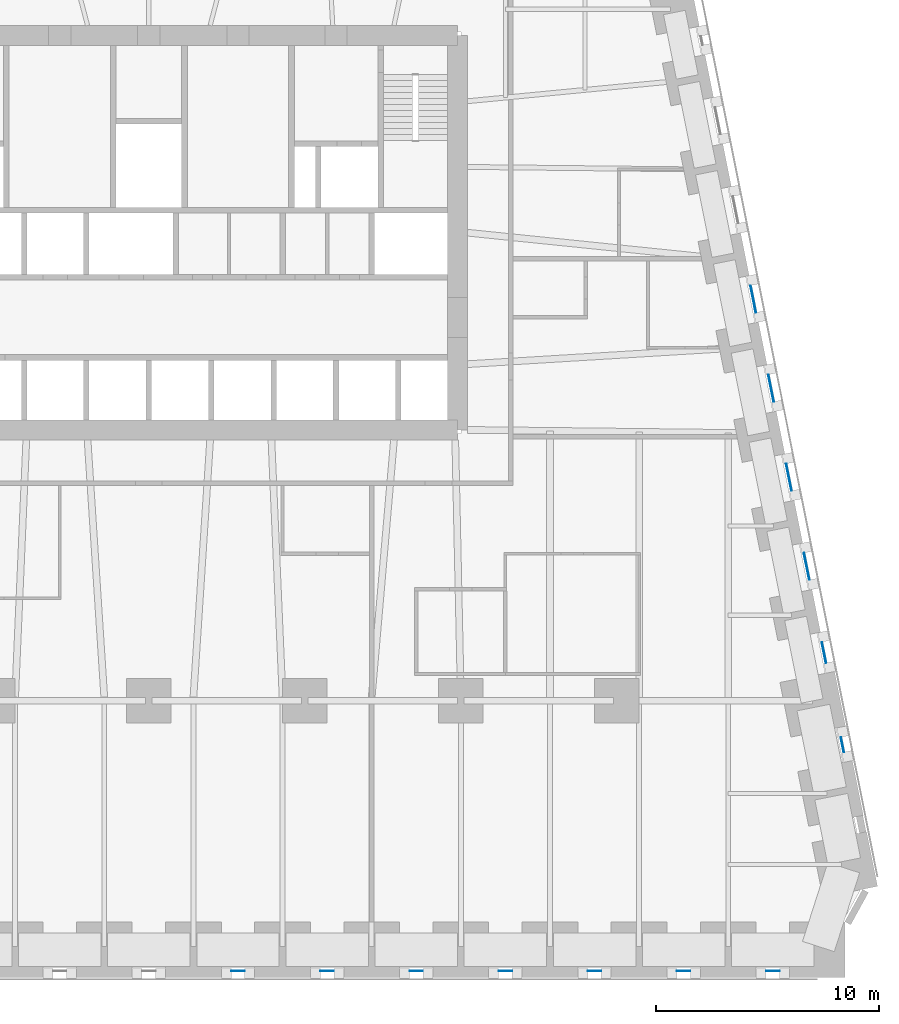
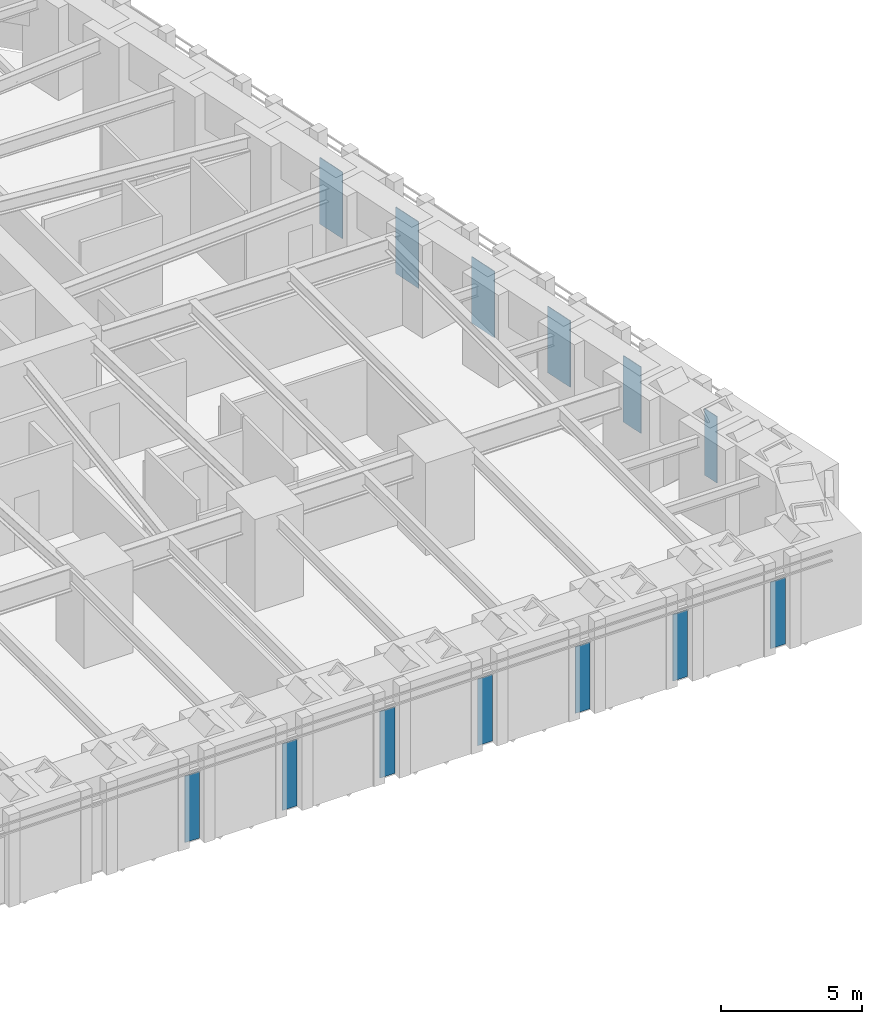
# One storey, part 9 of 16: 13 plates, 13 elements without a shape of their own.
"""IFC4 building model written with IfcOpenShell, lengths in metres."""

from ifc_helpers import new_model, si_unit, direction, frame, origin, origin_2d, place, context, subcontext, project, spatial, rectangle, extrude, material, layer, layer_set, type_object, element, aggregate, save


model = new_model("IFC4")

# Units and contexts
model_context = context("Model", 3, precision=1e-05, world=origin(), true_north=direction((0.0, 1.0)))
body_context = subcontext(model_context, "Body", "Model", "MODEL_VIEW")
ifc_project = project(units=[si_unit("LENGTHUNIT", "METRE"), si_unit("AREAUNIT", "SQUARE_METRE"), si_unit("VOLUMEUNIT", "CUBIC_METRE"), si_unit("PLANEANGLEUNIT", "RADIAN"), si_unit("MASSUNIT", "GRAM", prefix="KILO")], contexts=[model_context])

# Site, building, storey
site_placement = place(None, origin())
site = spatial("IfcSite", under=ifc_project, at=site_placement, CompositionType="ELEMENT")
building_placement = place(site_placement, origin())
building = spatial("IfcBuilding", under=site, at=building_placement, Name="Isbrekke Arena Tower", CompositionType="ELEMENT")
storey_placement = place(building_placement, frame((0.0, 0.0, 40.0)))
storey = spatial("IfcBuildingStorey", under=building, at=storey_placement, Name="L07", CompositionType="ELEMENT", Elevation=40.0)

# Curtain wall, plate
ifc_material_1 = material(Name="Glazed aluminium curtain wall", Category="aluminium")
curtain_wall_type = type_object("IfcCurtainWallType", Name="CWL TOWER CURTAIN WALL LOW ZONE", PredefinedType="USERDEFINED", material=ifc_material_1)
curtain_wall_1_placement = place(storey_placement, origin())
curtain_wall_1 = element("IfcCurtainWall", 1, at=curtain_wall_1_placement, inside=storey, type_object=curtain_wall_type, Name="CWL curtain wall L07-S17", ObjectType="TOWER CURTAIN WALL LOW ZONE", PredefinedType="USERDEFINED")
ifc_material_2 = material(Name="Triple-glazed clear glass unit", Category="glass")
ifc_layer = layer(ifc_material_2, 0.031982421875)
ifc_layer_set = layer_set([ifc_layer], Name="CWL-P VISION PANEL")
plate_type = type_object("IfcPlateType", Name="CWL-P VISION PANEL", PredefinedType="CURTAIN_PANEL", material=ifc_layer_set)
plate_1_placement = place(storey_placement, frame((4.0, -18.125, 0.02001953125), z_axis=(0.0, 0.0, 1.0), x_axis=(1.0, 0.0, 0.0)))
plate_1 = element("IfcPlate", 2, at=plate_1_placement, type_object=plate_type, Name="CWL-P panel 1", PredefinedType="CURTAIN_PANEL", context=body_context, shape_type="SweptSolid", body=[
    extrude(rectangle(XDim=0.60009765625, YDim=0.031982421875, at=origin_2d()), origin(), (0.0, 0.0, 1.0), 2.8798828125),
])
aggregate(curtain_wall_1, [plate_1])

curtain_wall_2_placement = place(storey_placement, origin())
curtain_wall_2 = element("IfcCurtainWall", 3, at=curtain_wall_2_placement, inside=storey, type_object=curtain_wall_type, Name="CWL curtain wall L07-S19", ObjectType="TOWER CURTAIN WALL LOW ZONE", PredefinedType="USERDEFINED")
plate_2_placement = place(storey_placement, frame((8.0, -18.125, 0.02001953125), z_axis=(0.0, 0.0, 1.0), x_axis=(1.0, 0.0, 0.0)))
plate_2 = element("IfcPlate", 4, at=plate_2_placement, type_object=plate_type, Name="CWL-P panel 1", PredefinedType="CURTAIN_PANEL", context=body_context, shape_type="SweptSolid", body=[
    extrude(rectangle(XDim=0.60009765625, YDim=0.031982421875, at=origin_2d()), origin(), (0.0, 0.0, 1.0), 2.8798828125),
])
aggregate(curtain_wall_2, [plate_2])

curtain_wall_3_placement = place(storey_placement, origin())
curtain_wall_3 = element("IfcCurtainWall", 5, at=curtain_wall_3_placement, inside=storey, type_object=curtain_wall_type, Name="CWL curtain wall L07-S21", ObjectType="TOWER CURTAIN WALL LOW ZONE", PredefinedType="USERDEFINED")
plate_3_placement = place(storey_placement, frame((12.0, -18.125, 0.02001953125), z_axis=(0.0, 0.0, 1.0), x_axis=(1.0, 0.0, 0.0)))
plate_3 = element("IfcPlate", 6, at=plate_3_placement, type_object=plate_type, Name="CWL-P panel 1", PredefinedType="CURTAIN_PANEL", context=body_context, shape_type="SweptSolid", body=[
    extrude(rectangle(XDim=0.60009765625, YDim=0.031982421875, at=origin_2d()), origin(), (0.0, 0.0, 1.0), 2.8798828125),
])
aggregate(curtain_wall_3, [plate_3])

curtain_wall_4_placement = place(storey_placement, origin())
curtain_wall_4 = element("IfcCurtainWall", 7, at=curtain_wall_4_placement, inside=storey, type_object=curtain_wall_type, Name="CWL curtain wall L07-S23", ObjectType="TOWER CURTAIN WALL LOW ZONE", PredefinedType="USERDEFINED")
plate_4_placement = place(storey_placement, frame((16.0, -18.125, 0.02001953125), z_axis=(0.0, 0.0, 1.0), x_axis=(1.0, 0.0, 0.0)))
plate_4 = element("IfcPlate", 8, at=plate_4_placement, type_object=plate_type, Name="CWL-P panel 1", PredefinedType="CURTAIN_PANEL", context=body_context, shape_type="SweptSolid", body=[
    extrude(rectangle(XDim=0.60009765625, YDim=0.031982421875, at=origin_2d()), origin(), (0.0, 0.0, 1.0), 2.8798828125),
])
aggregate(curtain_wall_4, [plate_4])

curtain_wall_5_placement = place(storey_placement, origin())
curtain_wall_5 = element("IfcCurtainWall", 9, at=curtain_wall_5_placement, inside=storey, type_object=curtain_wall_type, Name="CWL curtain wall L07-S25", ObjectType="TOWER CURTAIN WALL LOW ZONE", PredefinedType="USERDEFINED")
plate_5_placement = place(storey_placement, frame((20.0, -18.125, 0.02001953125), z_axis=(0.0, 0.0, 1.0), x_axis=(1.0, 0.0, 0.0)))
plate_5 = element("IfcPlate", 10, at=plate_5_placement, type_object=plate_type, Name="CWL-P panel 1", PredefinedType="CURTAIN_PANEL", context=body_context, shape_type="SweptSolid", body=[
    extrude(rectangle(XDim=0.60009765625, YDim=0.031982421875, at=origin_2d()), origin(), (0.0, 0.0, 1.0), 2.8798828125),
])
aggregate(curtain_wall_5, [plate_5])

curtain_wall_6_placement = place(storey_placement, origin())
curtain_wall_6 = element("IfcCurtainWall", 11, at=curtain_wall_6_placement, inside=storey, type_object=curtain_wall_type, Name="CWL curtain wall L07-S27", ObjectType="TOWER CURTAIN WALL LOW ZONE", PredefinedType="USERDEFINED")
plate_6_placement = place(storey_placement, frame((24.0, -18.125, 0.02001953125), z_axis=(0.0, 0.0, 1.0), x_axis=(1.0, 0.0, 0.0)))
plate_6 = element("IfcPlate", 12, at=plate_6_placement, type_object=plate_type, Name="CWL-P panel 1", PredefinedType="CURTAIN_PANEL", context=body_context, shape_type="SweptSolid", body=[
    extrude(rectangle(XDim=0.60009765625, YDim=0.031982421875, at=origin_2d()), origin(), (0.0, 0.0, 1.0), 2.8798828125),
])
aggregate(curtain_wall_6, [plate_6])

curtain_wall_7_placement = place(storey_placement, origin())
curtain_wall_7 = element("IfcCurtainWall", 13, at=curtain_wall_7_placement, inside=storey, type_object=curtain_wall_type, Name="CWL curtain wall L07-S29", ObjectType="TOWER CURTAIN WALL LOW ZONE", PredefinedType="USERDEFINED")
plate_7_placement = place(storey_placement, frame((28.0009765625, -18.125, 0.02001953125), z_axis=(0.0, 0.0, 1.0), x_axis=(1.0, 0.0, 0.0)))
plate_7 = element("IfcPlate", 14, at=plate_7_placement, type_object=plate_type, Name="CWL-P panel 1", PredefinedType="CURTAIN_PANEL", context=body_context, shape_type="SweptSolid", body=[
    extrude(rectangle(XDim=0.60205078125, YDim=0.031982421875, at=origin_2d()), origin(), (0.0, 0.0, 1.0), 2.8798828125),
])
aggregate(curtain_wall_7, [plate_7])

curtain_wall_8_placement = place(storey_placement, origin())
curtain_wall_8 = element("IfcCurtainWall", 15, at=curtain_wall_8_placement, inside=storey, type_object=curtain_wall_type, Name="CWL curtain wall L07-E3", ObjectType="TOWER CURTAIN WALL LOW ZONE", PredefinedType="USERDEFINED")
plate_8_placement = place(storey_placement, frame((31.12255859375, -7.9755859375, 0.02001953125), z_axis=(0.0, 0.0, 1.0), x_axis=(-0.196116135138, 0.980580675691, 0.0)))
plate_8 = element("IfcPlate", 16, at=plate_8_placement, type_object=plate_type, Name="CWL-P panel 1", PredefinedType="CURTAIN_PANEL", context=body_context, shape_type="SweptSolid", body=[
    extrude(rectangle(XDim=0.67919921875, YDim=0.031982421875, at=origin_2d()), origin(), (0.0, 0.0, 1.0), 2.8798828125),
])
aggregate(curtain_wall_8, [plate_8])

curtain_wall_9_placement = place(storey_placement, origin())
curtain_wall_9 = element("IfcCurtainWall", 17, at=curtain_wall_9_placement, inside=storey, type_object=curtain_wall_type, Name="CWL curtain wall L07-E5", ObjectType="TOWER CURTAIN WALL LOW ZONE", PredefinedType="USERDEFINED")
plate_9_placement = place(storey_placement, frame((30.295654296875, -3.840576171875, 0.02001953125), z_axis=(0.0, 0.0, 1.0), x_axis=(-0.196116135138, 0.980580675691, 0.0)))
plate_9 = element("IfcPlate", 18, at=plate_9_placement, type_object=plate_type, Name="CWL-P panel 1", PredefinedType="CURTAIN_PANEL", context=body_context, shape_type="SweptSolid", body=[
    extrude(rectangle(XDim=0.9541015625, YDim=0.031982421875, at=origin_2d()), origin(), (0.0, 0.0, 1.0), 2.8798828125),
])
aggregate(curtain_wall_9, [plate_9])

curtain_wall_10_placement = place(storey_placement, origin())
curtain_wall_10 = element("IfcCurtainWall", 19, at=curtain_wall_10_placement, inside=storey, type_object=curtain_wall_type, Name="CWL curtain wall L07-E7", ObjectType="TOWER CURTAIN WALL LOW ZONE", PredefinedType="USERDEFINED")
plate_10_placement = place(storey_placement, frame((29.5224609375, 0.0244140625, 0.02001953125), z_axis=(0.0, 0.0, 1.0), x_axis=(-0.196116135138, 0.980580675691, 0.0)))
plate_10 = element("IfcPlate", 20, at=plate_10_placement, type_object=plate_type, Name="CWL-P panel 1", PredefinedType="CURTAIN_PANEL", context=body_context, shape_type="SweptSolid", body=[
    extrude(rectangle(XDim=1.229248046875, YDim=0.031982421875, at=origin_2d()), origin(), (0.0, 0.0, 1.0), 2.8798828125),
])
aggregate(curtain_wall_10, [plate_10])

curtain_wall_11_placement = place(storey_placement, origin())
curtain_wall_11 = element("IfcCurtainWall", 21, at=curtain_wall_11_placement, inside=storey, type_object=curtain_wall_type, Name="CWL curtain wall L07-E9", ObjectType="TOWER CURTAIN WALL LOW ZONE", PredefinedType="USERDEFINED")
plate_11_placement = place(storey_placement, frame((28.72265625, 4.0244140625, 0.02001953125), z_axis=(0.0, 0.0, 1.0), x_axis=(-0.196116135138, 0.980580675691, 0.0)))
plate_11 = element("IfcPlate", 22, at=plate_11_placement, type_object=plate_type, Name="CWL-P panel 1", PredefinedType="CURTAIN_PANEL", context=body_context, shape_type="SweptSolid", body=[
    extrude(rectangle(XDim=1.229248046875, YDim=0.031982421875, at=origin_2d()), origin(), (0.0, 0.0, 1.0), 2.8798828125),
])
aggregate(curtain_wall_11, [plate_11])

curtain_wall_12_placement = place(storey_placement, origin())
curtain_wall_12 = element("IfcCurtainWall", 23, at=curtain_wall_12_placement, inside=storey, type_object=curtain_wall_type, Name="CWL curtain wall L07-E11", ObjectType="TOWER CURTAIN WALL LOW ZONE", PredefinedType="USERDEFINED")
plate_12_placement = place(storey_placement, frame((27.922607421875, 8.0244140625, 0.02001953125), z_axis=(0.0, 0.0, 1.0), x_axis=(-0.196116135138, 0.980580675691, 0.0)))
plate_12 = element("IfcPlate", 24, at=plate_12_placement, type_object=plate_type, Name="CWL-P panel 1", PredefinedType="CURTAIN_PANEL", context=body_context, shape_type="SweptSolid", body=[
    extrude(rectangle(XDim=1.229248046875, YDim=0.031982421875, at=origin_2d()), origin(), (0.0, 0.0, 1.0), 2.8798828125),
])
aggregate(curtain_wall_12, [plate_12])

curtain_wall_13_placement = place(storey_placement, origin())
curtain_wall_13 = element("IfcCurtainWall", 25, at=curtain_wall_13_placement, inside=storey, type_object=curtain_wall_type, Name="CWL curtain wall L07-E13", ObjectType="TOWER CURTAIN WALL LOW ZONE", PredefinedType="USERDEFINED")
plate_13_placement = place(storey_placement, frame((27.12255859375, 12.0244140625, 0.02001953125), z_axis=(0.0, 0.0, 1.0), x_axis=(-0.196116135138, 0.980580675691, 0.0)))
plate_13 = element("IfcPlate", 26, at=plate_13_placement, type_object=plate_type, Name="CWL-P panel 1", PredefinedType="CURTAIN_PANEL", context=body_context, shape_type="SweptSolid", body=[
    extrude(rectangle(XDim=1.229248046875, YDim=0.031982421875, at=origin_2d()), origin(), (0.0, 0.0, 1.0), 2.8798828125),
])
aggregate(curtain_wall_13, [plate_13])

save(model, "model.ifc")
